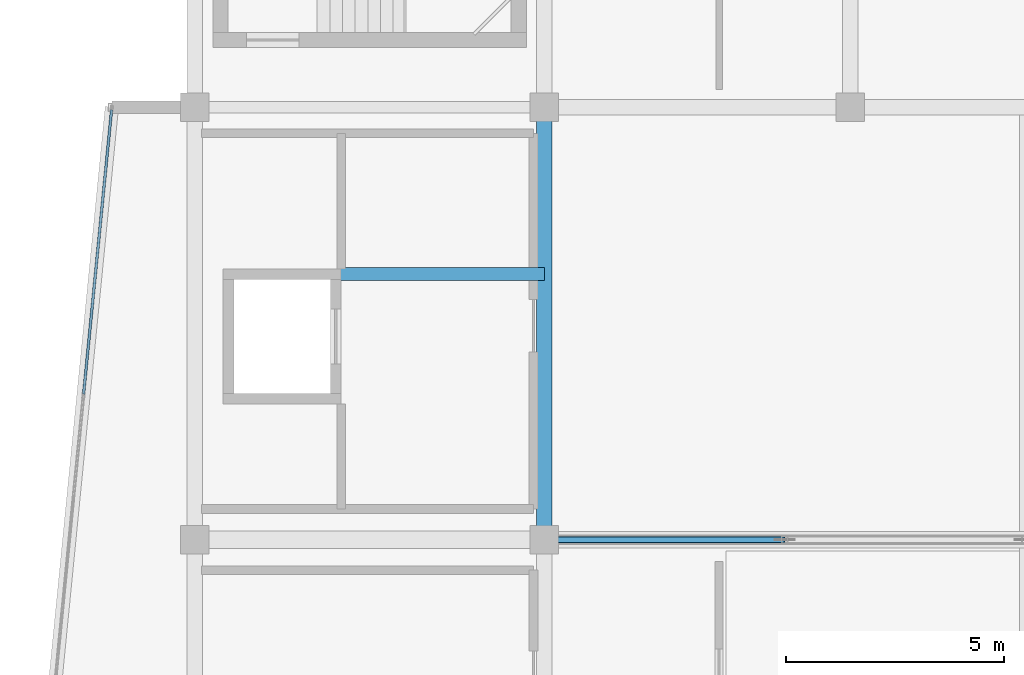
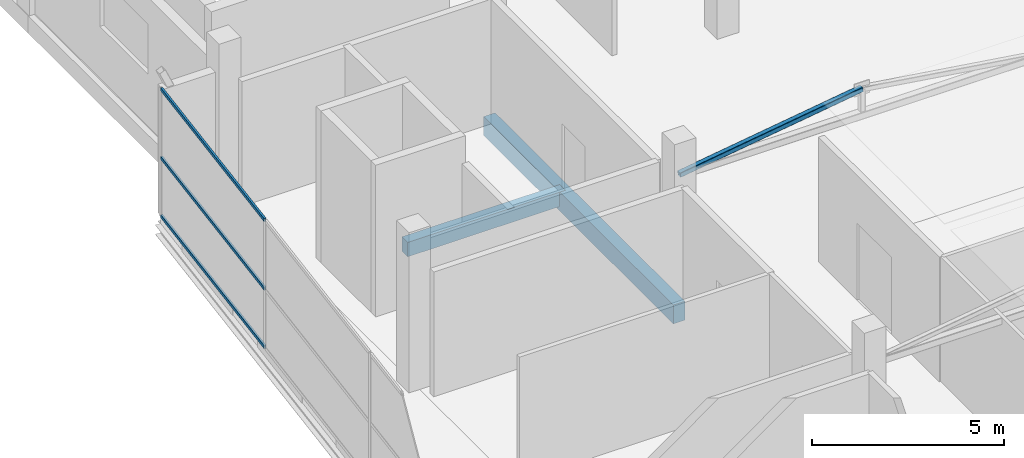
# One storey, part 23 of 58: 4 members, 2 beams, 1 element without a shape of its own.
"""IFC4 building model written with IfcOpenShell, lengths in metres."""

from ifc_helpers import new_model, si_unit, direction, frame, origin, origin_2d, place, context, subcontext, project, spatial, rectangle, hollow_rectangle, extrude, material, layer, layer_set, material_profile, profile_set, type_object, element, aggregate, save


model = new_model("IFC4")

# Units and contexts
model_context = context("Model", 3, precision=1e-05, world=origin(), true_north=direction((0.0, 1.0)))
body_context = subcontext(model_context, "Body", "Model", "MODEL_VIEW")
ifc_project = project(units=[si_unit("LENGTHUNIT", "METRE"), si_unit("AREAUNIT", "SQUARE_METRE"), si_unit("VOLUMEUNIT", "CUBIC_METRE"), si_unit("PLANEANGLEUNIT", "RADIAN"), si_unit("MASSUNIT", "GRAM", prefix="KILO")], contexts=[model_context])

# Site, building, storey
site_placement = place(None, origin())
site = spatial("IfcSite", under=ifc_project, at=site_placement, CompositionType="ELEMENT")
building_placement = place(site_placement, origin())
building = spatial("IfcBuilding", under=site, at=building_placement, Name="Sillaruma Civic Art Gallery", CompositionType="ELEMENT")
storey_placement = place(building_placement, frame((0.0, 0.0, 52.02001953125)))
storey = spatial("IfcBuildingStorey", under=building, at=storey_placement, Name="L10", CompositionType="ELEMENT", Elevation=52.02001953125)

# Beams
ifc_material_1 = material(Name="Concrete H35 (35 MPa)", Category="concrete")
ifc_material_profile_1 = material_profile(ifc_material_1, rectangle(XDim=0.35009765625, YDim=0.60009765625, at=origin_2d()), Name="RCB350x600")
ifc_profile_set_1 = profile_set([ifc_material_profile_1], Name="Concrete H35 (35 MPa)")
beam_type_1 = type_object("IfcBeamType", Name="BM-BEAM-RCB350x600", PredefinedType="BEAM", material=ifc_profile_set_1)
beam_1_placement = place(storey_placement, frame((70.0, 69.300048828125, -0.550048828125), z_axis=(0.0, 1.0, 0.0), x_axis=(-1.0, 0.0, 0.0)))
element("IfcBeam", 1, at=beam_1_placement, inside=storey, type_object=beam_type_1, Name="Beam BM-06 (L09:G:8-9)", PredefinedType="BEAM", context=body_context, shape_type="SweptSolid", body=[
    extrude(rectangle(XDim=0.35009765625, YDim=0.60009765625, at=origin_2d()), origin(), (0.0, 0.0, 1.0), 9.89990234375),
])
ifc_material_profile_2 = material_profile(ifc_material_1, rectangle(XDim=0.300048828125, YDim=0.4599609375, at=origin_2d()), Name="RCB300x460")
ifc_profile_set_2 = profile_set([ifc_material_profile_2], Name="Concrete H35 (35 MPa)")
beam_type_2 = type_object("IfcBeamType", Name="BM-LINTEL-RCB300x460", PredefinedType="LINTEL", material=ifc_profile_set_2)
beam_2_placement = place(storey_placement, frame((65.25, 75.3798828125, -0.47998046875), z_axis=(1.0, 0.0, 0.0), x_axis=(0.0, 1.0, 0.0)))
element("IfcBeam", 2, at=beam_2_placement, inside=storey, type_object=beam_type_2, Name="Core Portal Coupling Lintel BL-01 (L09:FFL)", PredefinedType="LINTEL", context=body_context, shape_type="SweptSolid", body=[
    extrude(rectangle(XDim=0.300048828125, YDim=0.4599609375, at=origin_2d()), origin(), (0.0, 0.0, 1.0), 4.75),
])

# Member
ifc_material_2 = material(Name="Structural Steel ASTM A500 Gr.C", Category="steel")
ifc_material_profile_3 = material_profile(ifc_material_2, hollow_rectangle(XDim=0.14990234375, YDim=0.14990234375, WallThickness=0.010009765625, InnerFilletRadius=0.010009765625, OuterFilletRadius=0.02001953125, at=origin_2d()), Name="HSS150x150x10")
ifc_profile_set_3 = profile_set([ifc_material_profile_3], Name="Structural Steel ASTM A500 Gr.C")
member_type_1 = type_object("IfcMemberType", Name="MEM-BRACE-HSS150x150x10", PredefinedType="BRACE", material=ifc_profile_set_3)
member_1_placement = place(storey_placement, frame((70.0, 69.300048828125, 3.85986328125), z_axis=(0.989377720719, 0.0, 0.145367553959), x_axis=(0.0, 1.0, 0.0)))
element("IfcMember", 3, at=member_1_placement, inside=storey, type_object=member_type_1, Name="Warren Truss Diagonal TR-L10-3-D1", PredefinedType="BRACE", context=body_context, shape_type="SweptSolid", body=[
    extrude(hollow_rectangle(XDim=0.14990234375, YDim=0.14990234375, WallThickness=0.010009765625, InnerFilletRadius=0.010009765625, OuterFilletRadius=0.02001953125, at=origin_2d()), origin(), (0.0, 0.0, 1.0), 5.55908203125),
])

# Curtain wall, members
ifc_material_3 = material(Name="Thermally Broken Extruded Aluminium 6063-T6", Category="aluminium")
ifc_layer = layer(ifc_material_3, 0.139892578125, Name="Thermally Broken Extruded Aluminium 6063-T6")
ifc_layer_set = layer_set([ifc_layer], Name="Thermally Broken Extruded Aluminium 6063-T6")
curtain_wall_type = type_object("IfcCurtainWallType", Name="CW-UNI-84", PredefinedType="NOTDEFINED", material=ifc_layer_set)
curtain_wall_placement = place(storey_placement, origin())
curtain_wall = element("IfcCurtainWall", 4, at=curtain_wall_placement, inside=storey, type_object=curtain_wall_type, Name="Unitised Curtain Wall CW-84 (CW-PRW-L10-W-ANG)", PredefinedType="NOTDEFINED")
ifc_material_profile_4 = material_profile(ifc_material_3, hollow_rectangle(XDim=0.06005859375, YDim=0.10009765625, WallThickness=0.003173828125, at=origin_2d()), Name="CWT60x100")
ifc_profile_set_4 = profile_set([ifc_material_profile_4], Name="Thermally Broken Extruded Aluminium 6063-T6")
member_type_2 = type_object("IfcMemberType", Name="MEM-TRN-CWT60x100", PredefinedType="USERDEFINED", material=ifc_profile_set_4)
member_2_placement = place(storey_placement, frame((60.09423828125, 79.140380859375, 0.030029296875), z_axis=(-0.098036719934, -0.995182798055, 0.0), x_axis=(0.995182798055, -0.098036719934, 0.0)))
member_2 = element("IfcMember", 5, at=member_2_placement, type_object=member_type_2, Name="CW-84 transom 1.1", ObjectType="TRANSOM", PredefinedType="USERDEFINED", context=body_context, shape_type="SweptSolid", body=[
    extrude(hollow_rectangle(XDim=0.06005859375, YDim=0.10009765625, WallThickness=0.003173828125, at=origin_2d()), origin(), (0.0, 0.0, 1.0), 6.5419921875),
])
member_3_placement = place(storey_placement, frame((60.09423828125, 79.140380859375, 1.885986328125), z_axis=(-0.098036719934, -0.995182798055, 0.0), x_axis=(0.995182798055, -0.098036719934, 0.0)))
member_3 = element("IfcMember", 6, at=member_3_placement, type_object=member_type_2, Name="CW-84 transom 1.2", ObjectType="TRANSOM", PredefinedType="USERDEFINED", context=body_context, shape_type="SweptSolid", body=[
    extrude(hollow_rectangle(XDim=0.06005859375, YDim=0.10009765625, WallThickness=0.003173828125, at=origin_2d()), origin(), (0.0, 0.0, 1.0), 6.5419921875),
])
member_4_placement = place(storey_placement, frame((60.09423828125, 79.140380859375, 4.070068359375), z_axis=(-0.098036719934, -0.995182798055, 0.0), x_axis=(0.995182798055, -0.098036719934, 0.0)))
member_4 = element("IfcMember", 7, at=member_4_placement, type_object=member_type_2, Name="CW-84 transom 1.3", ObjectType="TRANSOM", PredefinedType="USERDEFINED", context=body_context, shape_type="SweptSolid", body=[
    extrude(hollow_rectangle(XDim=0.06005859375, YDim=0.10009765625, WallThickness=0.003173828125, at=origin_2d()), origin(), (0.0, 0.0, 1.0), 6.5419921875),
])
aggregate(curtain_wall, [member_2, member_3, member_4])

save(model, "model.ifc")
